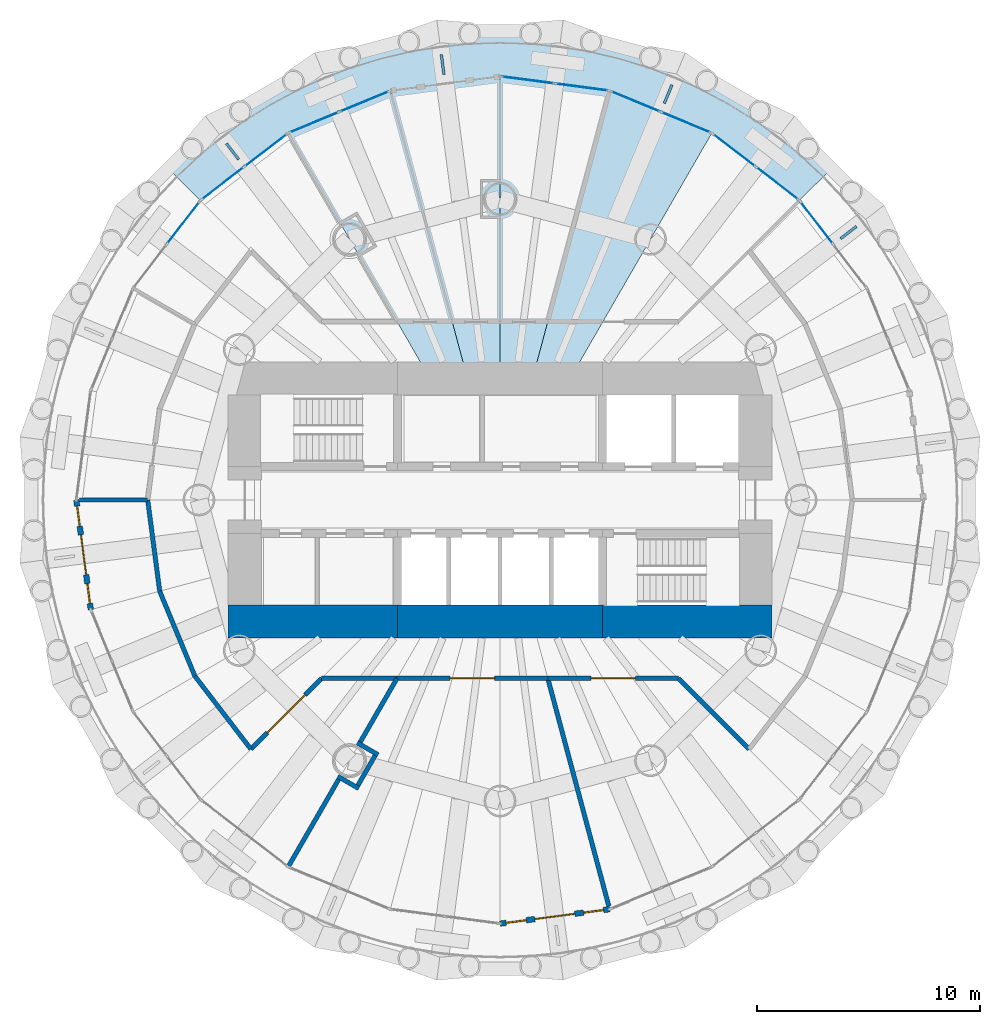
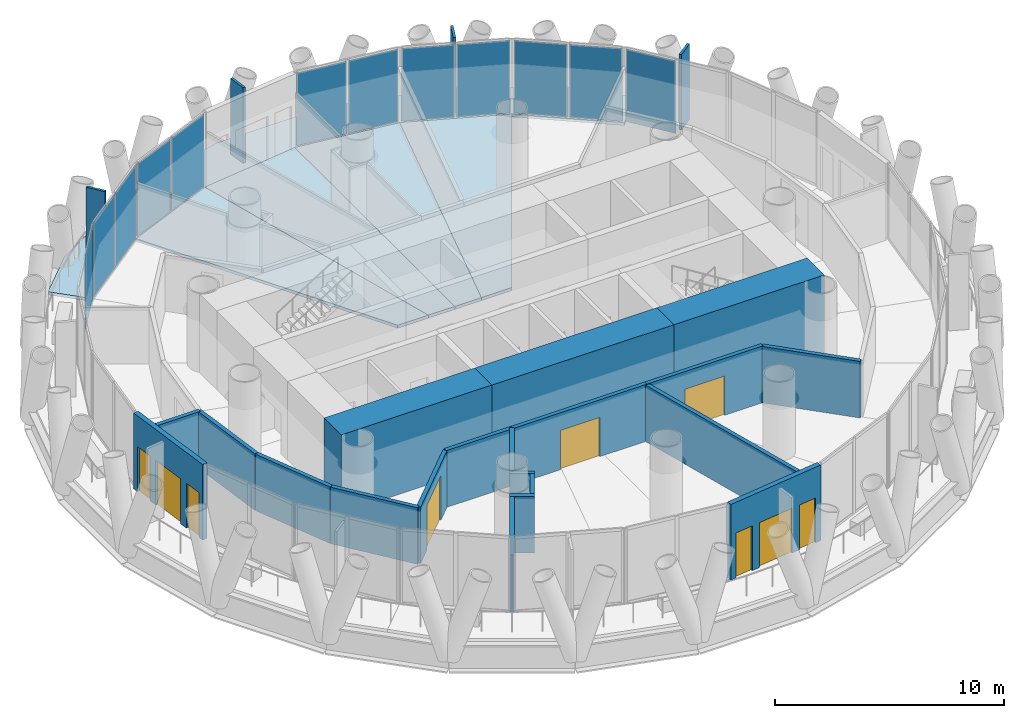
# One storey, part 9 of 16: 20 walls, 16 plates, 5 doors, 5 slabs, 4 windows, 9 openings, 7 elements without a shape of their own.
"""IFC4 building model written with IfcOpenShell, lengths in metres."""

from ifc_helpers import new_model, si_unit, direction, frame, frame_2d, origin, origin_2d, place, context, subcontext, project, spatial, polyline, rectangle, outline, extrude, material, layer, layer_set, type_object, element, fill, aggregate, save


model = new_model("IFC4")

# Units and contexts
model_context = context("Model", 3, precision=1e-05, world=origin(), true_north=direction((0.0, 1.0)))
body_context = subcontext(model_context, "Body", "Model", "MODEL_VIEW")
ifc_project = project(units=[si_unit("LENGTHUNIT", "METRE"), si_unit("AREAUNIT", "SQUARE_METRE"), si_unit("VOLUMEUNIT", "CUBIC_METRE"), si_unit("PLANEANGLEUNIT", "RADIAN"), si_unit("MASSUNIT", "GRAM", prefix="KILO")], contexts=[model_context])

# Site, building, storey
site_placement = place(None, origin())
site = spatial("IfcSite", under=ifc_project, at=site_placement, CompositionType="ELEMENT")
building_placement = place(site_placement, origin())
building = spatial("IfcBuilding", under=site, at=building_placement, Name="Qaws Media Tower", CompositionType="ELEMENT")
storey_placement = place(building_placement, frame((0.0, 0.0, 269.60009765625)))
storey = spatial("IfcBuildingStorey", under=building, at=storey_placement, Name="L62", CompositionType="ELEMENT", Elevation=269.60009765625)

# Slabs
ifc_material_1 = material(Name="Concrete C35/45", Category="concrete")
ifc_layer_1 = layer(ifc_material_1, 0.159912109375)
ifc_layer_set_1 = layer_set([ifc_layer_1], Name="Composite balcony slab 160")
slab_type_1 = type_object("IfcSlabType", Name="Composite balcony slab 160", PredefinedType="FLOOR", material=ifc_layer_set_1)
slab_1_placement = place(storey_placement, frame((0.0, 0.0, -0.16015625)))
element("IfcSlab", 1, at=slab_1_placement, inside=storey, type_object=slab_type_1, Name="S2 balcony slab L62 R04 to R10, movement joints on R04 and R10", PredefinedType="FLOOR", context=body_context, shape_type="SweptSolid", body=[
    extrude(outline(polyline([(47.09423828125, 66.819091796875), (51.88720703125, 69.586181640625), (57.23291015625, 71.0185546875), (62.76708984375, 71.0185546875), (68.11279296875, 69.586181640625), (72.90576171875, 66.819091796875), (74.8623046875, 64.8623046875), (73.43505859375, 63.43505859375), (69.5, 66.45458984375), (64.91748046875, 68.3525390625), (60.0, 69.0), (55.08251953125, 68.3525390625), (50.5, 66.45458984375), (46.56494140625, 63.43505859375), (45.1376953125, 64.8623046875), (47.09423828125, 66.819091796875)])), origin(), (0.0, 0.0, 1.0), 0.16015625),
])
ifc_material_2 = material(Name="Concrete C35/45", Category="concrete")
ifc_layer_2 = layer(ifc_material_2, 0.159912109375)
ifc_layer_set_2 = layer_set([ifc_layer_2], Name="Composite floor slab 160")
slab_type_2 = type_object("IfcSlabType", Name="Composite floor slab 160", PredefinedType="FLOOR", material=ifc_layer_set_2)
slab_2_placement = place(storey_placement, frame((0.0, 0.0, -0.16015625)))
element("IfcSlab", 2, at=slab_2_placement, inside=storey, type_object=slab_type_2, Name="S1 floor panel L62 on R05+7.5", PredefinedType="FLOOR", context=body_context, shape_type="SweptSolid", body=[
    extrude(outline(polyline([(69.5, 66.45458984375), (62.88671875, 55.0), (61.339599609375, 55.0), (64.91748046875, 68.3525390625), (69.5, 66.45458984375)])), origin(), (0.0, 0.0, 1.0), 0.16015625),
])
slab_3_placement = place(storey_placement, frame((0.0, 0.0, -0.16015625)))
element("IfcSlab", 3, at=slab_3_placement, inside=storey, type_object=slab_type_2, Name="S1 floor panel L62 on R06+7.5", PredefinedType="FLOOR", context=body_context, shape_type="SweptSolid", body=[
    extrude(outline(polyline([(64.91748046875, 68.3525390625), (61.339599609375, 55.0), (60.0, 55.0), (60.0, 69.0), (64.91748046875, 68.3525390625)])), origin(), (0.0, 0.0, 1.0), 0.16015625),
])
slab_4_placement = place(storey_placement, frame((0.0, 0.0, -0.16015625)))
element("IfcSlab", 4, at=slab_4_placement, inside=storey, type_object=slab_type_2, Name="S1 floor panel L62 on R07+7.5", PredefinedType="FLOOR", context=body_context, shape_type="SweptSolid", body=[
    extrude(outline(polyline([(55.08251953125, 68.3525390625), (60.0, 69.0), (60.0, 55.0), (58.660400390625, 55.0), (55.08251953125, 68.3525390625)])), origin(), (0.0, 0.0, 1.0), 0.16015625),
])
slab_5_placement = place(storey_placement, frame((0.0, 0.0, -0.16015625)))
element("IfcSlab", 5, at=slab_5_placement, inside=storey, type_object=slab_type_2, Name="S1 floor panel L62 on R08+7.5", PredefinedType="FLOOR", context=body_context, shape_type="SweptSolid", body=[
    extrude(outline(polyline([(50.5, 66.45458984375), (55.08251953125, 68.3525390625), (58.660400390625, 55.0), (57.11328125, 55.0), (50.5, 66.45458984375)])), origin(), (0.0, 0.0, 1.0), 0.16015625),
])

# Curtain wall, plate
ifc_material_3 = material(Name="Aluminium and clear glass", Category="aluminium")
curtain_wall_type = type_object("IfcCurtainWallType", Name="Unitised curtain wall CW-D", PredefinedType="NOTDEFINED", material=ifc_material_3)
curtain_wall_1_placement = place(storey_placement, origin())
curtain_wall_1 = element("IfcCurtainWall", 6, at=curtain_wall_1_placement, inside=storey, type_object=curtain_wall_type, Name="CWD curtain wall L62-03", PredefinedType="NOTDEFINED")
ifc_material_4 = material(Name="Clear laminated double glazing", Category="glass")
ifc_layer_3 = layer(ifc_material_4, 0.031982421875)
ifc_layer_set_3 = layer_set([ifc_layer_3], Name="Curtain wall glass unit 32")
plate_type_1 = type_object("IfcPlateType", Name="Curtain wall glass unit 32", PredefinedType="CURTAIN_PANEL", material=ifc_layer_set_3)
plate_1_placement = place(storey_placement, frame((74.2021484375, 62.435302734375, 0.080078125), z_axis=(0.0, 0.0, 1.0), x_axis=(-0.608761435337, 0.793353335436, 0.0)))
plate_1 = element("IfcPlate", 7, at=plate_1_placement, type_object=plate_type_1, Name="CWD panel 2.1", PredefinedType="CURTAIN_PANEL", context=body_context, shape_type="SweptSolid", body=[
    extrude(rectangle(XDim=2.360107421875, YDim=0.031982421875, at=origin_2d()), origin(), (0.0, 0.0, 1.0), 3.8798828125),
])
aggregate(curtain_wall_1, [plate_1])

# Curtain wall, plates
curtain_wall_2_placement = place(storey_placement, origin())
curtain_wall_2 = element("IfcCurtainWall", 8, at=curtain_wall_2_placement, inside=storey, type_object=curtain_wall_type, Name="CWD curtain wall L62-04", PredefinedType="NOTDEFINED")
plate_2_placement = place(storey_placement, frame((72.435302734375, 64.2021484375, 0.080078125), z_axis=(0.0, 0.0, 1.0), x_axis=(-0.793353335436, 0.608761435337, 0.0)))
plate_2 = element("IfcPlate", 9, at=plate_2_placement, type_object=plate_type_1, Name="CWD panel 1.1", PredefinedType="CURTAIN_PANEL", context=body_context, shape_type="SweptSolid", body=[
    extrude(rectangle(XDim=2.360107421875, YDim=0.031982421875, at=origin_2d()), origin(), (0.0, 0.0, 1.0), 3.8798828125),
])
plate_3_placement = place(storey_placement, frame((70.49951171875, 65.6875, 0.080078125), z_axis=(0.0, 0.0, 1.0), x_axis=(-0.793353335436, 0.608761435337, 0.0)))
plate_3 = element("IfcPlate", 10, at=plate_3_placement, type_object=plate_type_1, Name="CWD panel 2.1", PredefinedType="CURTAIN_PANEL", context=body_context, shape_type="SweptSolid", body=[
    extrude(rectangle(XDim=2.360107421875, YDim=0.031982421875, at=origin_2d()), origin(), (0.0, 0.0, 1.0), 3.8798828125),
])
aggregate(curtain_wall_2, [plate_2, plate_3])

curtain_wall_3_placement = place(storey_placement, origin())
curtain_wall_3 = element("IfcCurtainWall", 11, at=curtain_wall_3_placement, inside=storey, type_object=curtain_wall_type, Name="CWD curtain wall L62-05", PredefinedType="NOTDEFINED")
plate_4_placement = place(storey_placement, frame((68.3359375, 66.936767578125, 0.080078125), z_axis=(0.0, 0.0, 1.0), x_axis=(-0.923879530254, 0.382683437815, 0.0)))
plate_4 = element("IfcPlate", 12, at=plate_4_placement, type_object=plate_type_1, Name="CWD panel 1.1", PredefinedType="CURTAIN_PANEL", context=body_context, shape_type="SweptSolid", body=[
    extrude(rectangle(XDim=2.360107421875, YDim=0.031982421875, at=origin_2d()), origin(), (0.0, 0.0, 1.0), 3.8798828125),
])
plate_5_placement = place(storey_placement, frame((66.08154296875, 67.870361328125, 0.080078125), z_axis=(0.0, 0.0, 1.0), x_axis=(-0.923879530254, 0.382683437815, 0.0)))
plate_5 = element("IfcPlate", 13, at=plate_5_placement, type_object=plate_type_1, Name="CWD panel 2.1", PredefinedType="CURTAIN_PANEL", context=body_context, shape_type="SweptSolid", body=[
    extrude(rectangle(XDim=2.360107421875, YDim=0.031982421875, at=origin_2d()), origin(), (0.0, 0.0, 1.0), 3.8798828125),
])
aggregate(curtain_wall_3, [plate_4, plate_5])

curtain_wall_4_placement = place(storey_placement, origin())
curtain_wall_4 = element("IfcCurtainWall", 14, at=curtain_wall_4_placement, inside=storey, type_object=curtain_wall_type, Name="CWD curtain wall L62-06", PredefinedType="NOTDEFINED")
plate_6_placement = place(storey_placement, frame((63.66845703125, 68.51708984375, 0.080078125), z_axis=(0.0, 0.0, 1.0), x_axis=(-0.991444869705, 0.130526128939, 0.0)))
plate_6 = element("IfcPlate", 15, at=plate_6_placement, type_object=plate_type_1, Name="CWD panel 1.1", PredefinedType="CURTAIN_PANEL", context=body_context, shape_type="SweptSolid", body=[
    extrude(rectangle(XDim=2.360107421875, YDim=0.031982421875, at=origin_2d()), origin(), (0.0, 0.0, 1.0), 3.8798828125),
])
plate_7_placement = place(storey_placement, frame((61.249267578125, 68.83544921875, 0.080078125), z_axis=(0.0, 0.0, 1.0), x_axis=(-0.991444869705, 0.130526128939, 0.0)))
plate_7 = element("IfcPlate", 16, at=plate_7_placement, type_object=plate_type_1, Name="CWD panel 2.1", PredefinedType="CURTAIN_PANEL", context=body_context, shape_type="SweptSolid", body=[
    extrude(rectangle(XDim=2.360107421875, YDim=0.031982421875, at=origin_2d()), origin(), (0.0, 0.0, 1.0), 3.8798828125),
])
aggregate(curtain_wall_4, [plate_6, plate_7])

curtain_wall_5_placement = place(storey_placement, origin())
curtain_wall_5 = element("IfcCurtainWall", 17, at=curtain_wall_5_placement, inside=storey, type_object=curtain_wall_type, Name="CWD curtain wall L62-08", PredefinedType="NOTDEFINED")
plate_8_placement = place(storey_placement, frame((53.91845703125, 67.870361328125, 0.080078125), z_axis=(0.0, 0.0, 1.0), x_axis=(-0.923879530254, -0.382683437815, 0.0)))
plate_8 = element("IfcPlate", 18, at=plate_8_placement, type_object=plate_type_1, Name="CWD panel 1.1", PredefinedType="CURTAIN_PANEL", context=body_context, shape_type="SweptSolid", body=[
    extrude(rectangle(XDim=2.360107421875, YDim=0.031982421875, at=origin_2d()), origin(), (0.0, 0.0, 1.0), 3.8798828125),
])
plate_9_placement = place(storey_placement, frame((51.6640625, 66.936767578125, 0.080078125), z_axis=(0.0, 0.0, 1.0), x_axis=(-0.923879530254, -0.382683437815, 0.0)))
plate_9 = element("IfcPlate", 19, at=plate_9_placement, type_object=plate_type_1, Name="CWD panel 2.1", PredefinedType="CURTAIN_PANEL", context=body_context, shape_type="SweptSolid", body=[
    extrude(rectangle(XDim=2.360107421875, YDim=0.031982421875, at=origin_2d()), origin(), (0.0, 0.0, 1.0), 3.8798828125),
])
aggregate(curtain_wall_5, [plate_8, plate_9])

curtain_wall_6_placement = place(storey_placement, origin())
curtain_wall_6 = element("IfcCurtainWall", 20, at=curtain_wall_6_placement, inside=storey, type_object=curtain_wall_type, Name="CWD curtain wall L62-09", PredefinedType="NOTDEFINED")
plate_10_placement = place(storey_placement, frame((49.50048828125, 65.6875, 0.080078125), z_axis=(0.0, 0.0, 1.0), x_axis=(-0.793353335436, -0.608761435337, 0.0)))
plate_10 = element("IfcPlate", 21, at=plate_10_placement, type_object=plate_type_1, Name="CWD panel 1.1", PredefinedType="CURTAIN_PANEL", context=body_context, shape_type="SweptSolid", body=[
    extrude(rectangle(XDim=2.360107421875, YDim=0.031982421875, at=origin_2d()), origin(), (0.0, 0.0, 1.0), 3.8798828125),
])
plate_11_placement = place(storey_placement, frame((47.564697265625, 64.2021484375, 0.080078125), z_axis=(0.0, 0.0, 1.0), x_axis=(-0.793353335436, -0.608761435337, 0.0)))
plate_11 = element("IfcPlate", 22, at=plate_11_placement, type_object=plate_type_1, Name="CWD panel 2.1", PredefinedType="CURTAIN_PANEL", context=body_context, shape_type="SweptSolid", body=[
    extrude(rectangle(XDim=2.360107421875, YDim=0.031982421875, at=origin_2d()), origin(), (0.0, 0.0, 1.0), 3.8798828125),
])
aggregate(curtain_wall_6, [plate_10, plate_11])

# Curtain wall, plate
curtain_wall_7_placement = place(storey_placement, origin())
curtain_wall_7 = element("IfcCurtainWall", 23, at=curtain_wall_7_placement, inside=storey, type_object=curtain_wall_type, Name="CWD curtain wall L62-10", PredefinedType="NOTDEFINED")
plate_12_placement = place(storey_placement, frame((45.7978515625, 62.435302734375, 0.080078125), z_axis=(0.0, 0.0, 1.0), x_axis=(-0.608761435337, -0.793353335436, 0.0)))
plate_12 = element("IfcPlate", 24, at=plate_12_placement, type_object=plate_type_1, Name="CWD panel 1.1", PredefinedType="CURTAIN_PANEL", context=body_context, shape_type="SweptSolid", body=[
    extrude(rectangle(XDim=2.360107421875, YDim=0.031982421875, at=origin_2d()), origin(), (0.0, 0.0, 1.0), 3.8798828125),
])
aggregate(curtain_wall_7, [plate_12])

# Plates
ifc_material_5 = material(Name="Precast concrete screen fin", Category="concrete")
ifc_layer_4 = layer(ifc_material_5, 0.1201171875)
ifc_layer_set_4 = layer_set([ifc_layer_4], Name="Screen fin 120x900")
plate_type_2 = type_object("IfcPlateType", Name="Screen fin 120x900", PredefinedType="USERDEFINED", material=ifc_layer_set_4)
for number, where, z_axis, x_axis, name in (
    (25, (75.629150390625, 61.99267578125, 0.0), (0.0, 0.0, 1.0), (0.793353340291, 0.608761429009, 0.0), "SCR1 screen fin L62-02"),
    (26, (67.538818359375, 68.200439453125, 0.0), (0.0, 0.0, 1.0), (0.382683432365, 0.923879532511, 0.0), "SCR1 screen fin L62-03"),
    (27, (57.4287109375, 69.531494140625, 0.0), (0.0, 0.0, 1.0), (-0.13052619222, 0.991444861374, 0.0), "SCR1 screen fin L62-04"),
    (28, (48.00732421875, 65.629150390625, 0.0), (0.0, 0.0, 1.0), (-0.608761429009, 0.793353340291, 0.0), "SCR1 screen fin L62-05"),
):
    element("IfcPlate", number, at=place(storey_placement, frame(where, z_axis=z_axis, x_axis=x_axis)), inside=storey, type_object=plate_type_2, Name=name, ObjectType="SCREEN", PredefinedType="USERDEFINED", context=body_context, shape_type="SweptSolid", body=[
        extrude(rectangle(XDim=0.89990234375, YDim=0.1201171875, at=origin_2d()), origin(), (0.0, 0.0, 1.0), 4.0400390625),
    ])

# Wall, openings, door, windows
ifc_material_6 = material(Name="Precast concrete, exposed finish", Category="concrete")
ifc_layer_5 = layer(ifc_material_6, 0.25)
ifc_layer_set_5 = layer_set([ifc_layer_5], Name="Balcony door wall 250")
wall_type_1 = type_object("IfcWallType", Name="Balcony door wall 250", PredefinedType="SOLIDWALL", material=ifc_layer_set_5)
wall_1_placement = place(storey_placement, frame((41.0, 50.0, 0.0), z_axis=(0.0, 0.0, 1.0), x_axis=(0.130538549191, -0.991443234469, 0.0)))
wall_1 = element("IfcWall", 29, at=wall_1_placement, inside=storey, type_object=wall_type_1, Name="W284 EW1 balcony door wall L62-13", PredefinedType="SOLIDWALL", context=body_context, shape_type="SweptSolid", body=[
    extrude(rectangle(XDim=4.9599609375, YDim=0.25, at=frame_2d((2.47998046875, 0.0))), origin(), (0.0, 0.0, 1.0), 4.039794921875),
])
opening_1_placement = place(wall_1_placement, frame((1.580078125, 0.0, 0.0)))
opening_1 = element("IfcOpeningElement", 30, at=opening_1_placement, cuts=wall_1, Name="Opening D7", PredefinedType="OPENING", context=body_context, shape_type="SweptSolid", body=[
    extrude(rectangle(XDim=1.800048828125, YDim=2.39990234375, at=frame_2d((0.89990234375, 1.199951171875))), frame((0.0, 0.135009765625, 0.0), z_axis=(0.0, -1.0, 0.0), x_axis=(1.0, 0.0, 0.0)), (0.0, 0.0, 1.0), 0.27001953125),
])
opening_2_placement = place(wall_1_placement, frame((0.280029296875, 0.0, 0.0)))
opening_2 = element("IfcOpeningElement", 31, at=opening_2_placement, cuts=wall_1, Name="Opening W7", PredefinedType="OPENING", context=body_context, shape_type="SweptSolid", body=[
    extrude(rectangle(XDim=0.89990234375, YDim=2.39990234375, at=frame_2d((0.449951171875, 1.199951171875))), frame((0.0, 0.135009765625, 0.0), z_axis=(0.0, -1.0, 0.0), x_axis=(1.0, 0.0, 0.0)), (0.0, 0.0, 1.0), 0.27001953125),
])
opening_3_placement = place(wall_1_placement, frame((3.780029296875, 0.0, 0.0)))
opening_3 = element("IfcOpeningElement", 32, at=opening_3_placement, cuts=wall_1, Name="Opening W7", PredefinedType="OPENING", context=body_context, shape_type="SweptSolid", body=[
    extrude(rectangle(XDim=0.89990234375, YDim=2.39990234375, at=frame_2d((0.449951171875, 1.199951171875))), frame((0.0, 0.135009765625, 0.0), z_axis=(0.0, -1.0, 0.0), x_axis=(1.0, 0.0, 0.0)), (0.0, 0.0, 1.0), 0.27001953125),
])
ifc_material_7 = material(Name="Aluminium and clear glass", Category="aluminium")
door_type_1 = type_object("IfcDoorType", Name="Balcony door pair 1800", OperationType="DOUBLE_DOOR_SLIDING", PredefinedType="DOOR", material=ifc_material_7)
door_1_placement = place(opening_1_placement, origin())
door_1 = element("IfcDoor", 33, at=door_1_placement, inside=storey, type_object=door_type_1, Name="D7 balcony door L62-13 in wall W284", OperationType="DOUBLE_DOOR_SLIDING", OverallHeight=2.39990234375, OverallWidth=1.800048828125, PredefinedType="DOOR", context=body_context, shape_type="SweptSolid", body=[
    extrude(rectangle(XDim=1.800048828125, YDim=2.39990234375, at=frame_2d((0.89990234375, 1.199951171875))), frame((0.0, 0.02490234375, 0.0), z_axis=(0.0, -1.0, 0.0), x_axis=(1.0, 0.0, 0.0)), (0.0, 0.0, 1.0), 0.050048828125),
])
fill(opening_1, door_1)
ifc_material_8 = material(Name="Aluminium and clear glass", Category="aluminium")
window_type = type_object("IfcWindowType", Name="Balcony side window 900", PartitioningType="SINGLE_PANEL", PredefinedType="WINDOW", material=ifc_material_8)
window_1_placement = place(opening_2_placement, origin())
window_1 = element("IfcWindow", 34, at=window_1_placement, inside=storey, type_object=window_type, Name="W1 balcony side light L62-13L", OverallHeight=2.39990234375, OverallWidth=0.89990234375, PartitioningType="SINGLE_PANEL", PredefinedType="WINDOW", context=body_context, shape_type="SweptSolid", body=[
    extrude(rectangle(XDim=0.89990234375, YDim=2.39990234375, at=frame_2d((0.449951171875, 1.199951171875))), frame((0.0, 0.030029296875, 0.0), z_axis=(0.0, -1.0, 0.0), x_axis=(1.0, 0.0, 0.0)), (0.0, 0.0, 1.0), 0.06005859375),
])
fill(opening_2, window_1)
window_2_placement = place(opening_3_placement, origin())
window_2 = element("IfcWindow", 35, at=window_2_placement, inside=storey, type_object=window_type, Name="W1 balcony side light L62-13R", OverallHeight=2.39990234375, OverallWidth=0.89990234375, PartitioningType="SINGLE_PANEL", PredefinedType="WINDOW", context=body_context, shape_type="SweptSolid", body=[
    extrude(rectangle(XDim=0.89990234375, YDim=2.39990234375, at=frame_2d((0.449951171875, 1.199951171875))), frame((0.0, 0.030029296875, 0.0), z_axis=(0.0, -1.0, 0.0), x_axis=(1.0, 0.0, 0.0)), (0.0, 0.0, 1.0), 0.06005859375),
])
fill(opening_3, window_2)

wall_2_placement = place(storey_placement, frame((60.0, 31.0, 0.0), z_axis=(0.0, 0.0, 1.0), x_axis=(0.991443234469, 0.130538549191, 0.0)))
wall_2 = element("IfcWall", 36, at=wall_2_placement, inside=storey, type_object=wall_type_1, Name="W285 EW1 balcony door wall L62-19", PredefinedType="SOLIDWALL", context=body_context, shape_type="SweptSolid", body=[
    extrude(rectangle(XDim=4.9599609375, YDim=0.25, at=frame_2d((2.47998046875, 0.0))), origin(), (0.0, 0.0, 1.0), 4.039794921875),
])
opening_4_placement = place(wall_2_placement, frame((1.580078125, 0.0, 0.0)))
opening_4 = element("IfcOpeningElement", 37, at=opening_4_placement, cuts=wall_2, Name="Opening D7", PredefinedType="OPENING", context=body_context, shape_type="SweptSolid", body=[
    extrude(rectangle(XDim=1.800048828125, YDim=2.39990234375, at=frame_2d((0.89990234375, 1.199951171875))), frame((0.0, 0.135009765625, 0.0), z_axis=(0.0, -1.0, 0.0), x_axis=(1.0, 0.0, 0.0)), (0.0, 0.0, 1.0), 0.27001953125),
])
opening_5_placement = place(wall_2_placement, frame((0.280029296875, 0.0, 0.0)))
opening_5 = element("IfcOpeningElement", 38, at=opening_5_placement, cuts=wall_2, Name="Opening W7", PredefinedType="OPENING", context=body_context, shape_type="SweptSolid", body=[
    extrude(rectangle(XDim=0.89990234375, YDim=2.39990234375, at=frame_2d((0.449951171875, 1.199951171875))), frame((0.0, 0.135009765625, 0.0), z_axis=(0.0, -1.0, 0.0), x_axis=(1.0, 0.0, 0.0)), (0.0, 0.0, 1.0), 0.27001953125),
])
opening_6_placement = place(wall_2_placement, frame((3.780029296875, 0.0, 0.0)))
opening_6 = element("IfcOpeningElement", 39, at=opening_6_placement, cuts=wall_2, Name="Opening W7", PredefinedType="OPENING", context=body_context, shape_type="SweptSolid", body=[
    extrude(rectangle(XDim=0.89990234375, YDim=2.39990234375, at=frame_2d((0.449951171875, 1.199951171875))), frame((0.0, 0.135009765625, 0.0), z_axis=(0.0, -1.0, 0.0), x_axis=(1.0, 0.0, 0.0)), (0.0, 0.0, 1.0), 0.27001953125),
])
door_2_placement = place(opening_4_placement, origin())
door_2 = element("IfcDoor", 40, at=door_2_placement, inside=storey, type_object=door_type_1, Name="D7 balcony door L62-19 in wall W285", OperationType="DOUBLE_DOOR_SLIDING", OverallHeight=2.39990234375, OverallWidth=1.800048828125, PredefinedType="DOOR", context=body_context, shape_type="SweptSolid", body=[
    extrude(rectangle(XDim=1.800048828125, YDim=2.39990234375, at=frame_2d((0.89990234375, 1.199951171875))), frame((0.0, 0.02490234375, 0.0), z_axis=(0.0, -1.0, 0.0), x_axis=(1.0, 0.0, 0.0)), (0.0, 0.0, 1.0), 0.050048828125),
])
fill(opening_4, door_2)
window_3_placement = place(opening_5_placement, origin())
window_3 = element("IfcWindow", 41, at=window_3_placement, inside=storey, type_object=window_type, Name="W1 balcony side light L62-19L", OverallHeight=2.39990234375, OverallWidth=0.89990234375, PartitioningType="SINGLE_PANEL", PredefinedType="WINDOW", context=body_context, shape_type="SweptSolid", body=[
    extrude(rectangle(XDim=0.89990234375, YDim=2.39990234375, at=frame_2d((0.449951171875, 1.199951171875))), frame((0.0, 0.030029296875, 0.0), z_axis=(0.0, -1.0, 0.0), x_axis=(1.0, 0.0, 0.0)), (0.0, 0.0, 1.0), 0.06005859375),
])
fill(opening_5, window_3)
window_4_placement = place(opening_6_placement, origin())
window_4 = element("IfcWindow", 42, at=window_4_placement, inside=storey, type_object=window_type, Name="W1 balcony side light L62-19R", OverallHeight=2.39990234375, OverallWidth=0.89990234375, PartitioningType="SINGLE_PANEL", PredefinedType="WINDOW", context=body_context, shape_type="SweptSolid", body=[
    extrude(rectangle(XDim=0.89990234375, YDim=2.39990234375, at=frame_2d((0.449951171875, 1.199951171875))), frame((0.0, 0.030029296875, 0.0), z_axis=(0.0, -1.0, 0.0), x_axis=(1.0, 0.0, 0.0)), (0.0, 0.0, 1.0), 0.06005859375),
])
fill(opening_6, window_4)

# Walls
ifc_material_9 = material(Name="Concrete C60/75", Category="concrete")
ifc_layer_6 = layer(ifc_material_9, 1.5)
ifc_layer_set_6 = layer_set([ifc_layer_6], Name="Core wall 1500")
wall_type_2 = type_object("IfcWallType", Name="Core wall 1500", PredefinedType="SHEAR", material=ifc_layer_set_6)
wall_3_placement = place(storey_placement, frame((47.800048828125, 44.550048828125, 0.0), z_axis=(0.0, 0.0, 1.0), x_axis=(1.0, 0.0, 0.0)))
element("IfcWall", 43, at=wall_3_placement, inside=storey, type_object=wall_type_2, Name="W376 SW13 core wall SW L62", PredefinedType="SHEAR", context=body_context, shape_type="SweptSolid", body=[
    extrude(rectangle(XDim=7.599853515625, YDim=1.5, at=frame_2d((3.7998046875, 0.0))), origin(), (0.0, 0.0, 1.0), 4.199951171875),
])
wall_4_placement = place(storey_placement, frame((55.39990234375, 44.550048828125, 0.0), z_axis=(0.0, 0.0, 1.0), x_axis=(1.0, 0.0, 0.0)))
element("IfcWall", 44, at=wall_4_placement, inside=storey, type_object=wall_type_2, Name="W372 SW13 core wall S L62", PredefinedType="SHEAR", context=body_context, shape_type="SweptSolid", body=[
    extrude(rectangle(XDim=9.2001953125, YDim=1.5, at=frame_2d((4.60009765625, 0.0))), origin(), (0.0, 0.0, 1.0), 4.199951171875),
])
wall_5_placement = place(storey_placement, frame((64.60009765625, 44.550048828125, 0.0), z_axis=(0.0, 0.0, 1.0), x_axis=(1.0, 0.0, 0.0)))
element("IfcWall", 45, at=wall_5_placement, inside=storey, type_object=wall_type_2, Name="W381 SW13 core wall SE L62", PredefinedType="SHEAR", context=body_context, shape_type="SweptSolid", body=[
    extrude(rectangle(XDim=7.599853515625, YDim=1.5, at=frame_2d((3.7998046875, 0.0))), origin(), (0.0, 0.0, 1.0), 4.199951171875),
])

# Wall, opening, door
ifc_material_10 = material(Name="Gypsum board on galvanised metal studs, acoustic double stud, deflection head", Category="gypsum")
ifc_layer_7 = layer(ifc_material_10, 0.199951171875)
ifc_layer_set_7 = layer_set([ifc_layer_7], Name="Room partition 200")
wall_type_3 = type_object("IfcWallType", Name="Room partition 200", PredefinedType="PARTITIONING", material=ifc_layer_set_7)
wall_6_placement = place(storey_placement, frame((52.0, 42.0, 0.0), z_axis=(0.0, 0.0, 1.0), x_axis=(-0.707106781187, -0.707106781187, 0.0)))
wall_6 = element("IfcWall", 46, at=wall_6_placement, inside=storey, type_object=wall_type_3, Name="W1716 IW3 partition L62", PredefinedType="PARTITIONING", context=body_context, shape_type="SweptSolid", body=[
    extrude(rectangle(XDim=4.486328125, YDim=0.199951171875, at=frame_2d((2.2431640625, 0.0))), origin(), (0.0, 0.0, 1.0), 3.02001953125),
])
opening_7_placement = place(wall_6_placement, frame((1.043212890625, 0.0, 0.0)))
opening_7 = element("IfcOpeningElement", 47, at=opening_7_placement, cuts=wall_6, Name="Opening D17", PredefinedType="OPENING", context=body_context, shape_type="SweptSolid", body=[
    extrude(rectangle(XDim=2.39990234375, YDim=2.39990234375, at=frame_2d((1.199951171875, 1.199951171875))), frame((0.0, 0.10986328125, 0.0), z_axis=(0.0, -1.0, 0.0), x_axis=(1.0, 0.0, 0.0)), (0.0, 0.0, 1.0), 0.219970703125),
])
ifc_material_11 = material(Name="Timber veneered, panic hardware", Category="wood")
door_type_2 = type_object("IfcDoorType", Name="Assembly room door pair 2400x2400", OperationType="DOUBLE_DOOR_DOUBLE_SWING", PredefinedType="DOOR", material=ifc_material_11)
door_3_placement = place(opening_7_placement, origin())
door_3 = element("IfcDoor", 48, at=door_3_placement, inside=storey, type_object=door_type_2, Name="D17 Directors' lounge door L62 in wall W1716", OperationType="DOUBLE_DOOR_DOUBLE_SWING", OverallHeight=2.39990234375, OverallWidth=2.39990234375, PredefinedType="DOOR", context=body_context, shape_type="SweptSolid", body=[
    extrude(rectangle(XDim=2.39990234375, YDim=2.39990234375, at=frame_2d((1.199951171875, 1.199951171875))), frame((0.0, 0.02490234375, 0.0), z_axis=(0.0, -1.0, 0.0), x_axis=(1.0, 0.0, 0.0)), (0.0, 0.0, 1.0), 0.050048828125),
])
fill(opening_7, door_3)

# Walls
wall_7_placement = place(storey_placement, frame((48.82763671875, 38.82763671875, 0.0), z_axis=(0.0, 0.0, 1.0), x_axis=(-0.608714823874, 0.793389099494, 0.0)))
element("IfcWall", 49, at=wall_7_placement, inside=storey, type_object=wall_type_3, Name="W1714 IW3 partition L62", PredefinedType="PARTITIONING", context=body_context, shape_type="SweptSolid", body=[
    extrude(rectangle(XDim=4.124755859375, YDim=0.199951171875, at=frame_2d((2.0625, 0.0))), origin(), (0.0, 0.0, 1.0), 3.02001953125),
])
wall_8_placement = place(storey_placement, frame((46.31689453125, 42.10009765625, 0.0), z_axis=(0.0, 0.0, 1.0), x_axis=(-0.382731667114, 0.923859551549, 0.0)))
element("IfcWall", 50, at=wall_8_placement, inside=storey, type_object=wall_type_3, Name="W1711 IW3 partition L62", PredefinedType="PARTITIONING", context=body_context, shape_type="SweptSolid", body=[
    extrude(rectangle(XDim=4.12451171875, YDim=0.199951171875, at=frame_2d((2.062255859375, 0.0))), origin(), (0.0, 0.0, 1.0), 3.02001953125),
])
wall_9_placement = place(storey_placement, frame((44.73828125, 45.91064453125, 0.0), z_axis=(0.0, 0.0, 1.0), x_axis=(-0.130515758099, 0.991446234996, 0.0)))
element("IfcWall", 51, at=wall_9_placement, inside=storey, type_object=wall_type_3, Name="W1709 IW3 partition L62", PredefinedType="PARTITIONING", context=body_context, shape_type="SweptSolid", body=[
    extrude(rectangle(XDim=4.124755859375, YDim=0.199951171875, at=frame_2d((2.0625, 0.0))), origin(), (0.0, 0.0, 1.0), 3.02001953125),
])
wall_10_placement = place(storey_placement, frame((71.17236328125, 38.82763671875, 0.0), z_axis=(0.0, 0.0, 1.0), x_axis=(-0.707106781187, 0.707106781187, 0.0)))
element("IfcWall", 52, at=wall_10_placement, inside=storey, type_object=wall_type_3, Name="W1768 IW3 partition L62", PredefinedType="PARTITIONING", context=body_context, shape_type="SweptSolid", body=[
    extrude(rectangle(XDim=4.486328125, YDim=0.199951171875, at=frame_2d((2.2431640625, 0.0))), origin(), (0.0, 0.0, 1.0), 3.02001953125),
])

# Wall, opening, door
wall_11_placement = place(storey_placement, frame((68.0, 42.0, 0.0), z_axis=(0.0, 0.0, 1.0), x_axis=(-1.0, 0.0, 0.0)))
wall_11 = element("IfcWall", 53, at=wall_11_placement, inside=storey, type_object=wall_type_3, Name="W1767 IW3 partition L62", PredefinedType="PARTITIONING", context=body_context, shape_type="SweptSolid", body=[
    extrude(rectangle(XDim=5.8564453125, YDim=0.199951171875, at=frame_2d((2.92822265625, 0.0))), origin(), (0.0, 0.0, 1.0), 3.039794921875),
])
opening_8_placement = place(wall_11_placement, frame((1.92822265625, 0.0, 0.0)))
opening_8 = element("IfcOpeningElement", 54, at=opening_8_placement, cuts=wall_11, Name="Opening D6", PredefinedType="OPENING", context=body_context, shape_type="SweptSolid", body=[
    extrude(rectangle(XDim=2.0, YDim=2.10009765625, at=frame_2d((1.0, 1.050048828125))), frame((0.0, 0.10986328125, 0.0), z_axis=(0.0, -1.0, 0.0), x_axis=(1.0, 0.0, 0.0)), (0.0, 0.0, 1.0), 0.219970703125),
])
ifc_material_12 = material(Name="Steel, acoustic, fire rated", Category="steel")
door_type_3 = type_object("IfcDoorType", Name="Room door pair 2000", OperationType="DOUBLE_DOOR_DOUBLE_SWING", PredefinedType="DOOR", material=ifc_material_12)
door_4_placement = place(opening_8_placement, origin())
door_4 = element("IfcDoor", 55, at=door_4_placement, inside=storey, type_object=door_type_3, Name="D6 Board office door L62 in wall W1767", OperationType="DOUBLE_DOOR_DOUBLE_SWING", OverallHeight=2.10009765625, OverallWidth=2.0, PredefinedType="DOOR", context=body_context, shape_type="SweptSolid", body=[
    extrude(rectangle(XDim=2.0, YDim=2.10009765625, at=frame_2d((1.0, 1.050048828125))), frame((0.0, 0.02490234375, 0.0), z_axis=(0.0, -1.0, 0.0), x_axis=(1.0, 0.0, 0.0)), (0.0, 0.0, 1.0), 0.050048828125),
])
fill(opening_8, door_4)

wall_12_placement = place(storey_placement, frame((62.1435546875, 42.0, 0.0), z_axis=(0.0, 0.0, 1.0), x_axis=(-1.0, 0.0, 0.0)))
wall_12 = element("IfcWall", 56, at=wall_12_placement, inside=storey, type_object=wall_type_3, Name="W1765 IW3 partition L62", PredefinedType="PARTITIONING", context=body_context, shape_type="SweptSolid", body=[
    extrude(rectangle(XDim=6.762451171875, YDim=0.199951171875, at=frame_2d((3.38134765625, 0.0))), origin(), (0.0, 0.0, 1.0), 3.039794921875),
])
opening_9_placement = place(wall_12_placement, frame((2.381103515625, 0.0, 0.0)))
opening_9 = element("IfcOpeningElement", 57, at=opening_9_placement, cuts=wall_12, Name="Opening D6", PredefinedType="OPENING", context=body_context, shape_type="SweptSolid", body=[
    extrude(rectangle(XDim=2.0, YDim=2.10009765625, at=frame_2d((1.0, 1.050048828125))), frame((0.0, 0.10986328125, 0.0), z_axis=(0.0, -1.0, 0.0), x_axis=(1.0, 0.0, 0.0)), (0.0, 0.0, 1.0), 0.219970703125),
])
door_5_placement = place(opening_9_placement, origin())
door_5 = element("IfcDoor", 58, at=door_5_placement, inside=storey, type_object=door_type_3, Name="D6 Board dining room door L62 in wall W1765", OperationType="DOUBLE_DOOR_DOUBLE_SWING", OverallHeight=2.10009765625, OverallWidth=2.0, PredefinedType="DOOR", context=body_context, shape_type="SweptSolid", body=[
    extrude(rectangle(XDim=2.0, YDim=2.10009765625, at=frame_2d((1.0, 1.050048828125))), frame((0.0, 0.02490234375, 0.0), z_axis=(0.0, -1.0, 0.0), x_axis=(1.0, 0.0, 0.0)), (0.0, 0.0, 1.0), 0.050048828125),
])
fill(opening_9, door_5)

# Walls
wall_13_placement = place(storey_placement, frame((55.381103515625, 42.0, 0.0), z_axis=(0.0, 0.0, 1.0), x_axis=(-1.0, 0.0, 0.0)))
element("IfcWall", 59, at=wall_13_placement, inside=storey, type_object=wall_type_3, Name="W1762 IW3 partition L62", PredefinedType="PARTITIONING", context=body_context, shape_type="SweptSolid", body=[
    extrude(rectangle(XDim=3.381103515625, YDim=0.199951171875, at=frame_2d((1.6904296875, 0.0))), origin(), (0.0, 0.0, 1.0), 3.039794921875),
])
wall_14_placement = place(storey_placement, frame((44.199951171875, 50.0, 0.0), z_axis=(0.0, 0.0, 1.0), x_axis=(-1.0, 0.0, 0.0)))
element("IfcWall", 60, at=wall_14_placement, inside=storey, type_object=wall_type_3, Name="W1754 IW3 partition L62", PredefinedType="PARTITIONING", context=body_context, shape_type="SweptSolid", body=[
    extrude(rectangle(XDim=3.06005859375, YDim=0.199951171875, at=frame_2d((1.530029296875, 0.0))), origin(), (0.0, 0.0, 1.0), 3.02001953125),
])
for number, where, z_axis, x_axis, name in (
    (61, (53.598876953125, 39.113037109375, 0.0), (0.0, 0.0, 1.0), (0.86603892542, -0.499976579108, 0.0), "W1759 IW3 partition return L62"),
    (62, (52.727783203125, 37.604248046875, 0.0), (0.0, 0.0, 1.0), (0.86603892542, -0.499976579108, 0.0), "W1757 IW3 partition return L62"),
):
    element("IfcWall", number, at=place(storey_placement, frame(where, z_axis=z_axis, x_axis=x_axis)), inside=storey, type_object=wall_type_3, Name=name, PredefinedType="PARTITIONING", context=body_context, shape_type="SweptSolid", body=[
        extrude(rectangle(XDim=1.0810546875, YDim=0.199951171875, at=frame_2d((0.54052734375, 0.0))), origin(), (0.0, 0.0, 1.0), 3.02001953125),
    ])
wall_15_placement = place(storey_placement, frame((54.3984375, 38.535888671875, 0.0), z_axis=(0.0, 0.0, 1.0), x_axis=(-0.499987416453, -0.866032668777, 0.0)))
element("IfcWall", 63, at=wall_15_placement, inside=storey, type_object=wall_type_3, Name="W1760 IW3 partition return L62", PredefinedType="PARTITIONING", context=body_context, shape_type="SweptSolid", body=[
    extrude(rectangle(XDim=1.5419921875, YDim=0.199951171875, at=frame_2d((0.77099609375, 0.0))), origin(), (0.0, 0.0, 1.0), 3.02001953125),
])
wall_16_placement = place(storey_placement, frame((55.3798828125, 41.997802734375, 0.0), z_axis=(0.0, 0.0, 1.0), x_axis=(-0.499979497339, -0.866037240677, 0.0)))
element("IfcWall", 64, at=wall_16_placement, inside=storey, type_object=wall_type_3, Name="W1761 IW3 partition L62", PredefinedType="PARTITIONING", context=body_context, shape_type="SweptSolid", body=[
    extrude(rectangle(XDim=3.288818359375, YDim=0.199951171875, at=frame_2d((1.64453125, 0.0))), origin(), (0.0, 0.0, 1.0), 3.039794921875),
])
wall_17_placement = place(storey_placement, frame((52.764404296875, 37.4677734375, 0.0), z_axis=(0.0, 0.0, 1.0), x_axis=(-0.499970399321, -0.86604249307, 0.0)))
element("IfcWall", 65, at=wall_17_placement, inside=storey, type_object=wall_type_3, Name="W1758 IW3 partition L62", PredefinedType="PARTITIONING", context=body_context, shape_type="SweptSolid", body=[
    extrude(rectangle(XDim=4.489013671875, YDim=0.199951171875, at=frame_2d((2.24462890625, 0.0))), origin(), (0.0, 0.0, 1.0), 3.02001953125),
])
wall_18_placement = place(storey_placement, frame((62.14306640625, 42.002197265625, 0.0), z_axis=(0.0, 0.0, 1.0), x_axis=(0.258817209762, -0.965926318065, 0.0)))
element("IfcWall", 66, at=wall_18_placement, inside=storey, type_object=wall_type_3, Name="W1763 IW3 partition L62", PredefinedType="PARTITIONING", context=body_context, shape_type="SweptSolid", body=[
    extrude(rectangle(XDim=10.580078125, YDim=0.199951171875, at=frame_2d((5.2900390625, 0.0))), origin(), (0.0, 0.0, 1.0), 3.02001953125),
])

save(model, "model.ifc")
